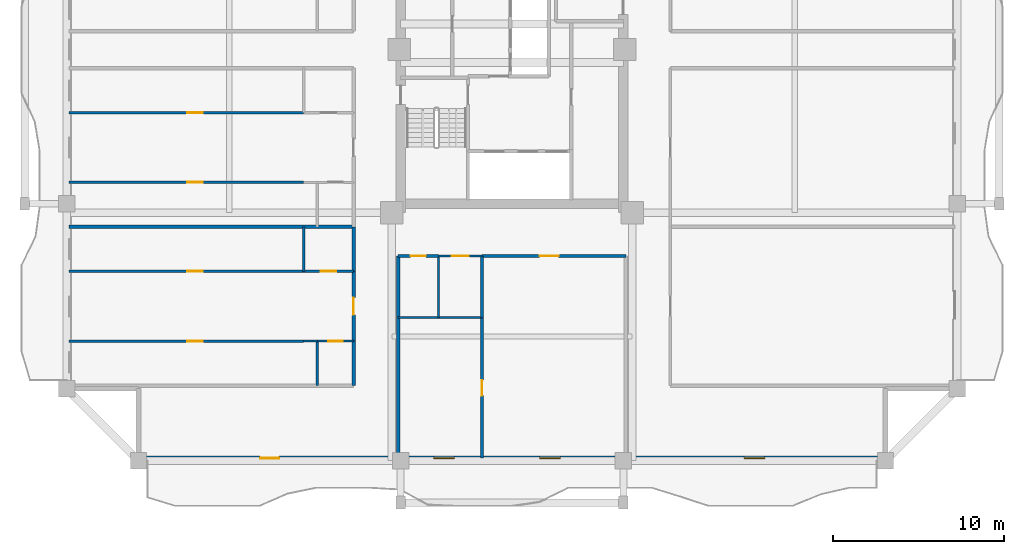
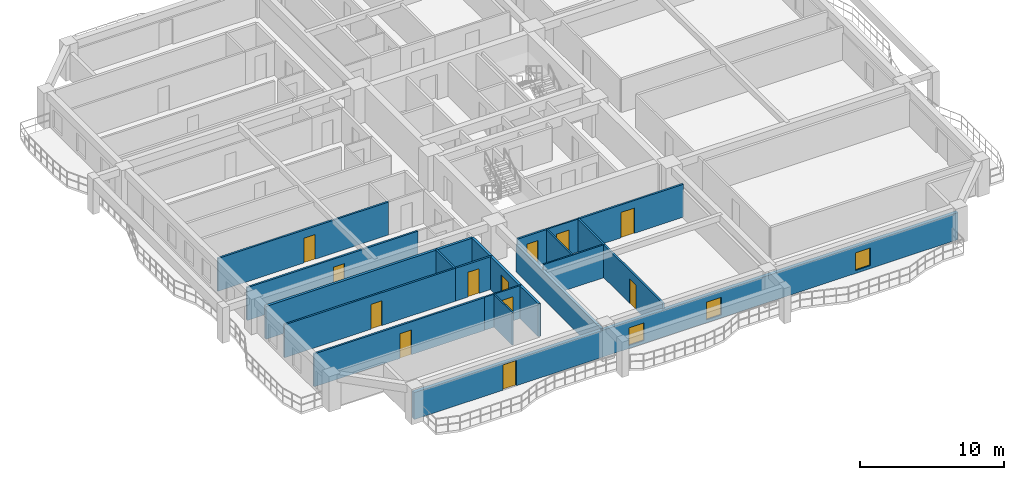
# One storey, part 2 of 11: 22 walls, 12 doors, 3 windows, 15 openings.
"""IFC4 building model written with IfcOpenShell, lengths in metres."""

from ifc_helpers import new_model, si_unit, direction, frame, frame_2d, origin, place, context, subcontext, project, spatial, rectangle, extrude, source, transform, mapped, material, layer, layer_set, type_object, element, fill, save


model = new_model("IFC4")

# Units and contexts
model_context = context("Model", 3, precision=1e-05, world=origin(), true_north=direction((0.0, 1.0)))
body_context = subcontext(model_context, "Body", "Model", "MODEL_VIEW")
ifc_project = project(units=[si_unit("LENGTHUNIT", "METRE"), si_unit("AREAUNIT", "SQUARE_METRE"), si_unit("VOLUMEUNIT", "CUBIC_METRE"), si_unit("PLANEANGLEUNIT", "RADIAN"), si_unit("MASSUNIT", "GRAM", prefix="KILO")], contexts=[model_context])

# Site, building, storey
site_placement = place(None, origin())
site = spatial("IfcSite", under=ifc_project, at=site_placement, CompositionType="ELEMENT")
building_placement = place(site_placement, origin())
building = spatial("IfcBuilding", under=site, at=building_placement, Name="Saelheon Loggia Tower", CompositionType="ELEMENT")
storey_placement = place(building_placement, frame((0.0, 0.0, 138.75)))
storey = spatial("IfcBuildingStorey", under=building, at=storey_placement, Name="L44", CompositionType="ELEMENT", Elevation=138.75)

# Wall, openings, windows, door
ifc_material_1 = material(Name="Architectural Precast Concrete C40/50", Category="concrete")
ifc_layer_1 = layer(ifc_material_1, 0.280029296875)
ifc_layer_set_1 = layer_set([ifc_layer_1], Name="Architectural Precast Concrete C40/50")
wall_type_1 = type_object("IfcWallType", Name="Wall_Ext_Loggia_280", PredefinedType="SOLIDWALL", material=ifc_layer_set_1)
wall_1_placement = place(storey_placement, frame((16.199951171875, 3.139892578125, 0.0), z_axis=(0.0, 0.0, 1.0), x_axis=(1.0, 0.0, 0.0)))
wall_1 = element("IfcWall", 1, at=wall_1_placement, inside=storey, type_object=wall_type_1, Name="L44 South Loggia Inner Wall", PredefinedType="SOLIDWALL", context=body_context, shape_type="SweptSolid", body=[
    extrude(rectangle(XDim=43.60009765625, YDim=0.280029296875, at=frame_2d((21.800048828125, 0.0))), origin(), (0.0, 0.0, 1.0), 2.280029296875),
])
opening_1_placement = place(wall_1_placement, frame((8.2001953125, 0.0, 0.0), z_axis=(0.0, 0.0, 1.0), x_axis=(-1.0, 0.0, 0.0)))
opening_1 = element("IfcOpeningElement", 2, at=opening_1_placement, cuts=wall_1, Name="Opening TD1", PredefinedType="OPENING", context=body_context, shape_type="SweptSolid", body=[
    extrude(rectangle(XDim=1.10009765625, YDim=2.14990234375, at=frame_2d((0.550048828125, 1.074951171875))), frame((0.0, 0.152099609375, 0.0), z_axis=(0.0, -1.0, 0.0), x_axis=(1.0, 0.0, 0.0)), (0.0, 0.0, 1.0), 0.303955078125),
])
opening_2_placement = place(wall_1_placement, frame((17.232421875, 0.0, 0.25)))
opening_2 = element("IfcOpeningElement", 3, at=opening_2_placement, cuts=wall_1, Name="Opening WN-03", PredefinedType="OPENING", context=body_context, shape_type="SweptSolid", body=[
    extrude(rectangle(XDim=1.199951171875, YDim=1.5, at=frame_2d((0.60009765625, 0.75))), frame((0.0, 0.152099609375, 0.0), z_axis=(0.0, -1.0, 0.0), x_axis=(1.0, 0.0, 0.0)), (0.0, 0.0, 1.0), 0.303955078125),
])
opening_3_placement = place(wall_1_placement, frame((23.41748046875, 0.0, 0.25)))
opening_3 = element("IfcOpeningElement", 4, at=opening_3_placement, cuts=wall_1, Name="Opening WN-03", PredefinedType="OPENING", context=body_context, shape_type="SweptSolid", body=[
    extrude(rectangle(XDim=1.199951171875, YDim=1.5, at=frame_2d((0.60009765625, 0.75))), frame((0.0, 0.152099609375, 0.0), z_axis=(0.0, -1.0, 0.0), x_axis=(1.0, 0.0, 0.0)), (0.0, 0.0, 1.0), 0.303955078125),
])
opening_4_placement = place(wall_1_placement, frame((35.35009765625, 0.0, 0.25)))
opening_4 = element("IfcOpeningElement", 5, at=opening_4_placement, cuts=wall_1, Name="Opening WN-03", PredefinedType="OPENING", context=body_context, shape_type="SweptSolid", body=[
    extrude(rectangle(XDim=1.199951171875, YDim=1.5, at=frame_2d((0.60009765625, 0.75))), frame((0.0, 0.152099609375, 0.0), z_axis=(0.0, -1.0, 0.0), x_axis=(1.0, 0.0, 0.0)), (0.0, 0.0, 1.0), 0.303955078125),
])
ifc_material_2 = material(Name="Thermal-Break Aluminium and Triple Low-E Glass", Category="aluminium")
window_type = type_object("IfcWindowType", Name="Win_Bedroom_1200x1500", PartitioningType="SINGLE_PANEL", PredefinedType="WINDOW", material=ifc_material_2)
shared_shape_1 = source(origin(), body_context, "Body", "SweptSolid", [
    extrude(rectangle(XDim=1.199951171875, YDim=1.5, at=frame_2d((0.60009765625, 0.75))), frame((0.0, 0.030029296875, 0.0), z_axis=(0.0, -1.0, 0.0), x_axis=(1.0, 0.0, 0.0)), (0.0, 0.0, 1.0), 0.06005859375),
])
window_1_placement = place(opening_2_placement, origin())
window_1 = element("IfcWindow", 6, at=window_1_placement, inside=storey, type_object=window_type, Name="L44 S Dwelling Window 2", OverallHeight=1.5, OverallWidth=1.199951171875, PartitioningType="SINGLE_PANEL", PredefinedType="WINDOW", context=body_context, shape_type="MappedRepresentation", body=[
    mapped(shared_shape_1, transform((0.0, 0.0, 0.0), scale=1.0)),
])
fill(opening_2, window_1)
window_2_placement = place(opening_3_placement, origin())
window_2 = element("IfcWindow", 7, at=window_2_placement, inside=storey, type_object=window_type, Name="L44 S Dwelling Window 3", OverallHeight=1.5, OverallWidth=1.199951171875, PartitioningType="SINGLE_PANEL", PredefinedType="WINDOW", context=body_context, shape_type="MappedRepresentation", body=[
    mapped(shared_shape_1, transform((0.0, 0.0, 0.0), scale=1.0)),
])
fill(opening_3, window_2)
window_3_placement = place(opening_4_placement, origin())
window_3 = element("IfcWindow", 8, at=window_3_placement, inside=storey, type_object=window_type, Name="L44 S Dwelling Window 4", OverallHeight=1.5, OverallWidth=1.199951171875, PartitioningType="SINGLE_PANEL", PredefinedType="WINDOW", context=body_context, shape_type="MappedRepresentation", body=[
    mapped(shared_shape_1, transform((0.0, 0.0, 0.0), scale=1.0)),
])
fill(opening_4, window_3)
ifc_material_3 = material(Name="Thermal-Break Aluminium Glazed Door", Category="aluminium")
door_type_1 = type_object("IfcDoorType", Name="Door_Terrace_TD1", OperationType="NOTDEFINED", PredefinedType="DOOR", material=ifc_material_3)
shared_shape_2 = source(origin(), body_context, "Body", "SweptSolid", [
    extrude(rectangle(XDim=1.10009765625, YDim=2.14990234375, at=frame_2d((0.550048828125, 1.074951171875))), frame((0.0, 0.02490234375, 0.0), z_axis=(0.0, -1.0, 0.0), x_axis=(1.0, 0.0, 0.0)), (0.0, 0.0, 1.0), 0.050048828125),
])
door_1_placement = place(opening_1_placement, origin())
door_1 = element("IfcDoor", 9, at=door_1_placement, inside=storey, type_object=door_type_1, Name="L44 S Loggia Access Door", OperationType="SINGLE_SWING_LEFT", OverallHeight=2.14990234375, OverallWidth=1.10009765625, PredefinedType="DOOR", context=body_context, shape_type="MappedRepresentation", body=[
    mapped(shared_shape_2, transform((0.0, 0.0, 0.0), scale=1.0)),
])
fill(opening_1, door_1)

# Wall
ifc_material_4 = material(Name="Lightweight Autoclaved Aerated Concrete Block and Acoustic Gypsum", Category="concrete")
ifc_layer_2 = layer(ifc_material_4, 0.14990234375)
ifc_layer_set_2 = layer_set([ifc_layer_2], Name="Lightweight Autoclaved Aerated Concrete Block and Acoustic Gypsum")
wall_type_2 = type_object("IfcWallType", Name="Wall_Part_150", PredefinedType="PARTITIONING", material=ifc_layer_set_2)
wall_2_placement = place(storey_placement, frame((36.25, 14.949951171875, 0.0), z_axis=(0.0, 0.0, 1.0), x_axis=(0.0, -1.0, 0.0)))
element("IfcWall", 10, at=wall_2_placement, inside=storey, type_object=wall_type_2, Name="L44 S Partition U04", PredefinedType="PARTITIONING", context=body_context, shape_type="SweptSolid", body=[
    extrude(rectangle(XDim=3.599853515625, YDim=0.14990234375, at=frame_2d((1.7998046875, 0.0))), origin(), (0.0, 0.0, 1.0), 2.7900390625),
])

# Wall, opening, door
wall_3_placement = place(storey_placement, frame((36.25, 11.35009765625, 0.0), z_axis=(0.0, 0.0, 1.0), x_axis=(0.0, -1.0, 0.0)))
wall_3 = element("IfcWall", 11, at=wall_3_placement, inside=storey, type_object=wall_type_2, Name="L44 S Partition U05", PredefinedType="PARTITIONING", context=body_context, shape_type="SweptSolid", body=[
    extrude(rectangle(XDim=8.2001953125, YDim=0.14990234375, at=frame_2d((4.10009765625, 0.0))), origin(), (0.0, 0.0, 1.0), 2.7900390625),
])
opening_5_placement = place(wall_3_placement, frame((3.64990234375, 0.0, 0.0)))
opening_5 = element("IfcOpeningElement", 12, at=opening_5_placement, cuts=wall_3, Name="Opening D-IN2", PredefinedType="OPENING", context=body_context, shape_type="SweptSolid", body=[
    extrude(rectangle(XDim=0.89990234375, YDim=2.10009765625, at=frame_2d((0.449951171875, 1.050048828125))), frame((0.0, 0.0869140625, 0.0), z_axis=(0.0, -1.0, 0.0), x_axis=(1.0, 0.0, 0.0)), (0.0, 0.0, 1.0), 0.173828125),
])
ifc_material_5 = material(Name="Engineered Oak Flush Door", Category="timber")
door_type_2 = type_object("IfcDoorType", Name="Door_Int_900", OperationType="NOTDEFINED", PredefinedType="DOOR", material=ifc_material_5)
shared_shape_3 = source(origin(), body_context, "Body", "SweptSolid", [
    extrude(rectangle(XDim=0.89990234375, YDim=2.10009765625, at=frame_2d((0.449951171875, 1.050048828125))), frame((0.0, 0.02490234375, 0.0), z_axis=(0.0, -1.0, 0.0), x_axis=(1.0, 0.0, 0.0)), (0.0, 0.0, 1.0), 0.050048828125),
])
door_2_placement = place(opening_5_placement, origin())
door_2 = element("IfcDoor", 13, at=door_2_placement, inside=storey, type_object=door_type_2, Name="L44 Reading Alcove Door", OperationType="SINGLE_SWING_RIGHT", OverallHeight=2.10009765625, OverallWidth=0.89990234375, PredefinedType="DOOR", context=body_context, shape_type="MappedRepresentation", body=[
    mapped(shared_shape_3, transform((0.0, 0.0, 0.0), scale=1.0)),
])
fill(opening_5, door_2)

wall_4_placement = place(storey_placement, frame((31.35009765625, 14.949951171875, 0.0), z_axis=(0.0, 0.0, 1.0), x_axis=(1.0, 0.0, 0.0)))
wall_4 = element("IfcWall", 14, at=wall_4_placement, inside=storey, type_object=wall_type_2, Name="L44 S Partition V07", PredefinedType="PARTITIONING", context=body_context, shape_type="SweptSolid", body=[
    extrude(rectangle(XDim=2.349853515625, YDim=0.14990234375, at=frame_2d((1.1748046875, 0.0))), origin(), (0.0, 0.0, 1.0), 2.7900390625),
])
opening_6_placement = place(wall_4_placement, frame((0.72509765625, 0.0, 0.0)))
opening_6 = element("IfcOpeningElement", 15, at=opening_6_placement, cuts=wall_4, Name="Opening D-IN2", PredefinedType="OPENING", context=body_context, shape_type="SweptSolid", body=[
    extrude(rectangle(XDim=0.89990234375, YDim=2.10009765625, at=frame_2d((0.449951171875, 1.050048828125))), frame((0.0, 0.0869140625, 0.0), z_axis=(0.0, -1.0, 0.0), x_axis=(1.0, 0.0, 0.0)), (0.0, 0.0, 1.0), 0.173828125),
])
door_3_placement = place(opening_6_placement, origin())
door_3 = element("IfcDoor", 16, at=door_3_placement, inside=storey, type_object=door_type_2, Name="L44 Community Pantry Door", OperationType="SINGLE_SWING_LEFT", OverallHeight=2.10009765625, OverallWidth=0.89990234375, PredefinedType="DOOR", context=body_context, shape_type="MappedRepresentation", body=[
    mapped(shared_shape_3, transform((0.0, 0.0, 0.0), scale=1.0)),
])
fill(opening_6, door_3)

wall_5_placement = place(storey_placement, frame((36.25, 14.949951171875, 0.0), z_axis=(0.0, 0.0, 1.0), x_axis=(1.0, 0.0, 0.0)))
wall_5 = element("IfcWall", 17, at=wall_5_placement, inside=storey, type_object=wall_type_2, Name="L44 S Partition V09", PredefinedType="PARTITIONING", context=body_context, shape_type="SweptSolid", body=[
    extrude(rectangle(XDim=8.39990234375, YDim=0.14990234375, at=frame_2d((4.199951171875, 0.0))), origin(), (0.0, 0.0, 1.0), 2.7900390625),
])
opening_7_placement = place(wall_5_placement, frame((3.367431640625, 0.0, 0.0)))
opening_7 = element("IfcOpeningElement", 18, at=opening_7_placement, cuts=wall_5, Name="Opening D-FD2", PredefinedType="OPENING", context=body_context, shape_type="SweptSolid", body=[
    extrude(rectangle(XDim=1.10009765625, YDim=2.14990234375, at=frame_2d((0.550048828125, 1.074951171875))), frame((0.0, 0.0869140625, 0.0), z_axis=(0.0, -1.0, 0.0), x_axis=(1.0, 0.0, 0.0)), (0.0, 0.0, 1.0), 0.173828125),
])
ifc_material_6 = material(Name="Galvanised Steel Fire Door", Category="steel")
door_type_3 = type_object("IfcDoorType", Name="Door_Fire_FD60_1100", OperationType="NOTDEFINED", PredefinedType="DOOR", material=ifc_material_6)
door_4_placement = place(opening_7_placement, origin())
door_4 = element("IfcDoor", 19, at=door_4_placement, inside=storey, type_object=door_type_3, Name="L44 Resident Fitness Gymnasium Door A", OperationType="SINGLE_SWING_LEFT", OverallHeight=2.14990234375, OverallWidth=1.10009765625, PredefinedType="DOOR", context=body_context, shape_type="MappedRepresentation", body=[
    mapped(shared_shape_2, transform((0.0, 0.0, 0.0), scale=1.0)),
])
fill(opening_7, door_4)

# Wall
wall_6_placement = place(storey_placement, frame((25.830078125, 14.050048828125, 0.0), z_axis=(0.0, 0.0, 1.0), x_axis=(0.0, 1.0, 0.0)))
element("IfcWall", 20, at=wall_6_placement, inside=storey, type_object=wall_type_2, Name="L44 WS Partition V07", PredefinedType="PARTITIONING", context=body_context, shape_type="SweptSolid", body=[
    extrude(rectangle(XDim=2.599853515625, YDim=0.14990234375, at=frame_2d((1.2998046875, 0.0))), origin(), (0.0, 0.0, 1.0), 2.7900390625),
])

# Wall, opening, door
wall_7_placement = place(storey_placement, frame((25.830078125, 9.9755859375, 0.0), z_axis=(0.0, 0.0, 1.0), x_axis=(-1.0, 0.0, 0.0)))
wall_7 = element("IfcWall", 21, at=wall_7_placement, inside=storey, type_object=wall_type_2, Name="L44 WS Partition U10", PredefinedType="PARTITIONING", context=body_context, shape_type="SweptSolid", body=[
    extrude(rectangle(XDim=13.68017578125, YDim=0.14990234375, at=frame_2d((6.840087890625, 0.0))), origin(), (0.0, 0.0, 1.0), 2.7900390625),
])
opening_8_placement = place(wall_7_placement, frame((5.87744140625, 0.0, 0.0)))
opening_8 = element("IfcOpeningElement", 22, at=opening_8_placement, cuts=wall_7, Name="Opening D-IN2", PredefinedType="OPENING", context=body_context, shape_type="SweptSolid", body=[
    extrude(rectangle(XDim=0.89990234375, YDim=2.10009765625, at=frame_2d((0.449951171875, 1.050048828125))), frame((0.0, 0.0869140625, 0.0), z_axis=(0.0, -1.0, 0.0), x_axis=(1.0, 0.0, 0.0)), (0.0, 0.0, 1.0), 0.173828125),
])
door_5_placement = place(opening_8_placement, origin())
door_5 = element("IfcDoor", 23, at=door_5_placement, inside=storey, type_object=door_type_2, Name="Unit U02 Kitchen Door", OperationType="SINGLE_SWING_LEFT", OverallHeight=2.10009765625, OverallWidth=0.89990234375, PredefinedType="DOOR", context=body_context, shape_type="MappedRepresentation", body=[
    mapped(shared_shape_3, transform((0.0, 0.0, 0.0), scale=1.0)),
])
fill(opening_8, door_5)

wall_8_placement = place(storey_placement, frame((28.75, 14.050048828125, 0.0), z_axis=(0.0, 0.0, 1.0), x_axis=(-1.0, 0.0, 0.0)))
wall_8 = element("IfcWall", 24, at=wall_8_placement, inside=storey, type_object=wall_type_2, Name="L44 WS Partition U11", PredefinedType="PARTITIONING", context=body_context, shape_type="SweptSolid", body=[
    extrude(rectangle(XDim=2.919921875, YDim=0.14990234375, at=frame_2d((1.4599609375, 0.0))), origin(), (0.0, 0.0, 1.0), 2.7900390625),
])
opening_9_placement = place(wall_8_placement, frame((1.010009765625, 0.0, 0.0)))
opening_9 = element("IfcOpeningElement", 25, at=opening_9_placement, cuts=wall_8, Name="Opening D-IN2", PredefinedType="OPENING", context=body_context, shape_type="SweptSolid", body=[
    extrude(rectangle(XDim=0.89990234375, YDim=2.10009765625, at=frame_2d((0.449951171875, 1.050048828125))), frame((0.0, 0.0869140625, 0.0), z_axis=(0.0, -1.0, 0.0), x_axis=(1.0, 0.0, 0.0)), (0.0, 0.0, 1.0), 0.173828125),
])
door_6_placement = place(opening_9_placement, origin())
door_6 = element("IfcDoor", 26, at=door_6_placement, inside=storey, type_object=door_type_2, Name="Unit U02 Dressing Closet Door", OperationType="SINGLE_SWING_RIGHT", OverallHeight=2.10009765625, OverallWidth=0.89990234375, PredefinedType="DOOR", context=body_context, shape_type="MappedRepresentation", body=[
    mapped(shared_shape_3, transform((0.0, 0.0, 0.0), scale=1.0)),
])
fill(opening_9, door_6)

wall_9_placement = place(storey_placement, frame((25.830078125, 14.050048828125, 0.0), z_axis=(0.0, 0.0, 1.0), x_axis=(-1.0, 0.0, 0.0)))
wall_9 = element("IfcWall", 27, at=wall_9_placement, inside=storey, type_object=wall_type_2, Name="L44 WS Partition U12", PredefinedType="PARTITIONING", context=body_context, shape_type="SweptSolid", body=[
    extrude(rectangle(XDim=13.68017578125, YDim=0.14990234375, at=frame_2d((6.840087890625, 0.0))), origin(), (0.0, 0.0, 1.0), 2.7900390625),
])
opening_10_placement = place(wall_9_placement, frame((5.87744140625, 0.0, 0.0)))
opening_10 = element("IfcOpeningElement", 28, at=opening_10_placement, cuts=wall_9, Name="Opening D-IN2", PredefinedType="OPENING", context=body_context, shape_type="SweptSolid", body=[
    extrude(rectangle(XDim=0.89990234375, YDim=2.10009765625, at=frame_2d((0.449951171875, 1.050048828125))), frame((0.0, 0.0869140625, 0.0), z_axis=(0.0, -1.0, 0.0), x_axis=(1.0, 0.0, 0.0)), (0.0, 0.0, 1.0), 0.173828125),
])
door_7_placement = place(opening_10_placement, origin())
door_7 = element("IfcDoor", 29, at=door_7_placement, inside=storey, type_object=door_type_2, Name="Unit U02 Bedroom 1 Door", OperationType="SINGLE_SWING_LEFT", OverallHeight=2.10009765625, OverallWidth=0.89990234375, PredefinedType="DOOR", context=body_context, shape_type="MappedRepresentation", body=[
    mapped(shared_shape_3, transform((0.0, 0.0, 0.0), scale=1.0)),
])
fill(opening_10, door_7)

wall_10_placement = place(storey_placement, frame((25.830078125, 19.24560546875, 0.0), z_axis=(0.0, 0.0, 1.0), x_axis=(-1.0, 0.0, 0.0)))
wall_10 = element("IfcWall", 30, at=wall_10_placement, inside=storey, type_object=wall_type_2, Name="L44 WS Partition U21", PredefinedType="PARTITIONING", context=body_context, shape_type="SweptSolid", body=[
    extrude(rectangle(XDim=13.68017578125, YDim=0.14990234375, at=frame_2d((6.840087890625, 0.0))), origin(), (0.0, 0.0, 1.0), 2.7900390625),
])
opening_11_placement = place(wall_10_placement, frame((5.87744140625, 0.0, 0.0)))
opening_11 = element("IfcOpeningElement", 31, at=opening_11_placement, cuts=wall_10, Name="Opening D-IN2", PredefinedType="OPENING", context=body_context, shape_type="SweptSolid", body=[
    extrude(rectangle(XDim=0.89990234375, YDim=2.10009765625, at=frame_2d((0.449951171875, 1.050048828125))), frame((0.0, 0.0869140625, 0.0), z_axis=(0.0, -1.0, 0.0), x_axis=(1.0, 0.0, 0.0)), (0.0, 0.0, 1.0), 0.173828125),
])
door_8_placement = place(opening_11_placement, origin())
door_8 = element("IfcDoor", 32, at=door_8_placement, inside=storey, type_object=door_type_2, Name="Unit U03 Kitchen Door", OperationType="SINGLE_SWING_RIGHT", OverallHeight=2.10009765625, OverallWidth=0.89990234375, PredefinedType="DOOR", context=body_context, shape_type="MappedRepresentation", body=[
    mapped(shared_shape_3, transform((0.0, 0.0, 0.0), scale=1.0)),
])
fill(opening_11, door_8)

wall_11_placement = place(storey_placement, frame((25.830078125, 23.320068359375, 0.0), z_axis=(0.0, 0.0, 1.0), x_axis=(-1.0, 0.0, 0.0)))
wall_11 = element("IfcWall", 33, at=wall_11_placement, inside=storey, type_object=wall_type_2, Name="L44 WS Partition U23", PredefinedType="PARTITIONING", context=body_context, shape_type="SweptSolid", body=[
    extrude(rectangle(XDim=13.68017578125, YDim=0.14990234375, at=frame_2d((6.840087890625, 0.0))), origin(), (0.0, 0.0, 1.0), 2.7900390625),
])
opening_12_placement = place(wall_11_placement, frame((5.87744140625, 0.0, 0.0)))
opening_12 = element("IfcOpeningElement", 34, at=opening_12_placement, cuts=wall_11, Name="Opening D-IN2", PredefinedType="OPENING", context=body_context, shape_type="SweptSolid", body=[
    extrude(rectangle(XDim=0.89990234375, YDim=2.10009765625, at=frame_2d((0.449951171875, 1.050048828125))), frame((0.0, 0.0869140625, 0.0), z_axis=(0.0, -1.0, 0.0), x_axis=(1.0, 0.0, 0.0)), (0.0, 0.0, 1.0), 0.173828125),
])
door_9_placement = place(opening_12_placement, origin())
door_9 = element("IfcDoor", 35, at=door_9_placement, inside=storey, type_object=door_type_2, Name="Unit U03 Bedroom 1 Door", OperationType="SINGLE_SWING_RIGHT", OverallHeight=2.10009765625, OverallWidth=0.89990234375, PredefinedType="DOOR", context=body_context, shape_type="MappedRepresentation", body=[
    mapped(shared_shape_3, transform((0.0, 0.0, 0.0), scale=1.0)),
])
fill(opening_12, door_9)

# Walls
ifc_material_7 = material(Name="Double Acoustic Stud and Fireboard Partition", Category="gypsum")
ifc_layer_3 = layer(ifc_material_7, 0.199951171875)
ifc_layer_set_3 = layer_set([ifc_layer_3], Name="Double Acoustic Stud and Fireboard Partition")
wall_type_3 = type_object("IfcWallType", Name="Wall_Party_200", PredefinedType="PARTITIONING", material=ifc_layer_set_3)
wall_12_placement = place(storey_placement, frame((31.35009765625, 14.949951171875, 0.0), z_axis=(0.0, 0.0, 1.0), x_axis=(0.0, -1.0, 0.0)))
element("IfcWall", 36, at=wall_12_placement, inside=storey, type_object=wall_type_3, Name="L44 S Partition U01", PredefinedType="PARTITIONING", context=body_context, shape_type="SweptSolid", body=[
    extrude(rectangle(XDim=11.800048828125, YDim=0.199951171875, at=frame_2d((5.89990234375, 0.0))), origin(), (0.0, 0.0, 1.0), 2.340087890625),
])
wall_13_placement = place(storey_placement, frame((28.75, 7.3798828125, 0.0), z_axis=(0.0, 0.0, 1.0), x_axis=(0.0, 1.0, 0.0)))
element("IfcWall", 37, at=wall_13_placement, inside=storey, type_object=wall_type_3, Name="L44 WS Partition V03", PredefinedType="PARTITIONING", context=body_context, shape_type="SweptSolid", body=[
    extrude(rectangle(XDim=2.595703125, YDim=0.199951171875, at=frame_2d((1.2978515625, 0.0))), origin(), (0.0, 0.0, 1.0), 2.7900390625),
])

# Wall, opening, door
wall_14_placement = place(storey_placement, frame((28.75, 9.9755859375, 0.0), z_axis=(0.0, 0.0, 1.0), x_axis=(0.0, 1.0, 0.0)))
wall_14 = element("IfcWall", 38, at=wall_14_placement, inside=storey, type_object=wall_type_3, Name="L44 WS Partition V04", PredefinedType="PARTITIONING", context=body_context, shape_type="SweptSolid", body=[
    extrude(rectangle(XDim=4.074462890625, YDim=0.199951171875, at=frame_2d((2.037109375, 0.0))), origin(), (0.0, 0.0, 1.0), 2.7900390625),
])
opening_13_placement = place(wall_14_placement, frame((1.537109375, 0.0, 0.0)))
opening_13 = element("IfcOpeningElement", 39, at=opening_13_placement, cuts=wall_14, Name="Opening D-FD1", PredefinedType="OPENING", context=body_context, shape_type="SweptSolid", body=[
    extrude(rectangle(XDim=1.0, YDim=2.14990234375, at=frame_2d((0.5, 1.074951171875))), frame((0.0, 0.112060546875, 0.0), z_axis=(0.0, -1.0, 0.0), x_axis=(1.0, 0.0, 0.0)), (0.0, 0.0, 1.0), 0.223876953125),
])
ifc_material_8 = material(Name="Fire-Rated Engineered Timber Entrance Door", Category="wood")
door_type_4 = type_object("IfcDoorType", Name="Door_Flat_FD30S", OperationType="NOTDEFINED", PredefinedType="DOOR", material=ifc_material_8)
shared_shape_4 = source(origin(), body_context, "Body", "SweptSolid", [
    extrude(rectangle(XDim=1.0, YDim=2.14990234375, at=frame_2d((0.5, 1.074951171875))), frame((0.0, 0.02490234375, 0.0), z_axis=(0.0, -1.0, 0.0), x_axis=(1.0, 0.0, 0.0)), (0.0, 0.0, 1.0), 0.050048828125),
])
door_10_placement = place(opening_13_placement, origin())
door_10 = element("IfcDoor", 40, at=door_10_placement, inside=storey, type_object=door_type_4, Name="Unit U02 Entrance Door", OperationType="SINGLE_SWING_LEFT", OverallHeight=2.14990234375, OverallWidth=1.0, PredefinedType="DOOR", context=body_context, shape_type="MappedRepresentation", body=[
    mapped(shared_shape_4, transform((0.0, 0.0, 0.0), scale=1.0)),
])
fill(opening_13, door_10)

# Walls
wall_15_placement = place(storey_placement, frame((28.75, 14.050048828125, 0.0), z_axis=(0.0, 0.0, 1.0), x_axis=(0.0, 1.0, 0.0)))
element("IfcWall", 41, at=wall_15_placement, inside=storey, type_object=wall_type_3, Name="L44 WS Partition V05", PredefinedType="PARTITIONING", context=body_context, shape_type="SweptSolid", body=[
    extrude(rectangle(XDim=2.599853515625, YDim=0.199951171875, at=frame_2d((1.2998046875, 0.0))), origin(), (0.0, 0.0, 1.0), 2.7900390625),
])
wall_16_placement = place(storey_placement, frame((28.75, 16.64990234375, 0.0), z_axis=(0.0, 0.0, 1.0), x_axis=(-1.0, 0.0, 0.0)))
element("IfcWall", 42, at=wall_16_placement, inside=storey, type_object=wall_type_3, Name="L44 WS Partition U13", PredefinedType="PARTITIONING", context=body_context, shape_type="SweptSolid", body=[
    extrude(rectangle(XDim=16.60009765625, YDim=0.199951171875, at=frame_2d((8.300048828125, 0.0))), origin(), (0.0, 0.0, 1.0), 2.7900390625),
])
ifc_material_9 = material(Name="Moisture-Resistant Cement Board Partition", Category="gypsum")
ifc_layer_4 = layer(ifc_material_9, 0.1201171875)
ifc_layer_set_4 = layer_set([ifc_layer_4], Name="Moisture-Resistant Cement Board Partition")
wall_type_4 = type_object("IfcWallType", Name="Wall_WetPart_120", PredefinedType="PARTITIONING", material=ifc_layer_set_4)
wall_17_placement = place(storey_placement, frame((33.699951171875, 14.949951171875, 0.0), z_axis=(0.0, 0.0, 1.0), x_axis=(0.0, -1.0, 0.0)))
element("IfcWall", 43, at=wall_17_placement, inside=storey, type_object=wall_type_4, Name="L44 S Partition U03", PredefinedType="PARTITIONING", context=body_context, shape_type="SweptSolid", body=[
    extrude(rectangle(XDim=3.599853515625, YDim=0.1201171875, at=frame_2d((1.7998046875, 0.0))), origin(), (0.0, 0.0, 1.0), 2.7900390625),
])
wall_18_placement = place(storey_placement, frame((31.35009765625, 11.35009765625, 0.0), z_axis=(0.0, 0.0, 1.0), x_axis=(1.0, 0.0, 0.0)))
element("IfcWall", 44, at=wall_18_placement, inside=storey, type_object=wall_type_4, Name="L44 S Partition V06", PredefinedType="PARTITIONING", context=body_context, shape_type="SweptSolid", body=[
    extrude(rectangle(XDim=4.89990234375, YDim=0.1201171875, at=frame_2d((2.449951171875, 0.0))), origin(), (0.0, 0.0, 1.0), 2.7900390625),
])

# Wall, opening, door
wall_19_placement = place(storey_placement, frame((33.699951171875, 14.949951171875, 0.0), z_axis=(0.0, 0.0, 1.0), x_axis=(1.0, 0.0, 0.0)))
wall_19 = element("IfcWall", 45, at=wall_19_placement, inside=storey, type_object=wall_type_4, Name="L44 S Partition V08", PredefinedType="PARTITIONING", context=body_context, shape_type="SweptSolid", body=[
    extrude(rectangle(XDim=2.550048828125, YDim=0.1201171875, at=frame_2d((1.27490234375, 0.0))), origin(), (0.0, 0.0, 1.0), 2.7900390625),
])
opening_14_placement = place(wall_19_placement, frame((0.77490234375, 0.0, 0.0)))
opening_14 = element("IfcOpeningElement", 46, at=opening_14_placement, cuts=wall_19, Name="Opening D-AC1", PredefinedType="OPENING", context=body_context, shape_type="SweptSolid", body=[
    extrude(rectangle(XDim=1.0, YDim=2.10009765625, at=frame_2d((0.5, 1.050048828125))), frame((0.0, 0.072021484375, 0.0), z_axis=(0.0, -1.0, 0.0), x_axis=(1.0, 0.0, 0.0)), (0.0, 0.0, 1.0), 0.14404296875),
])
ifc_material_10 = material(Name="Accessible Laminate Flush Door", Category="timber")
door_type_5 = type_object("IfcDoorType", Name="Door_Acc_1000", OperationType="NOTDEFINED", PredefinedType="DOOR", material=ifc_material_10)
shared_shape_5 = source(origin(), body_context, "Body", "SweptSolid", [
    extrude(rectangle(XDim=1.0, YDim=2.10009765625, at=frame_2d((0.5, 1.050048828125))), frame((0.0, 0.02490234375, 0.0), z_axis=(0.0, -1.0, 0.0), x_axis=(1.0, 0.0, 0.0)), (0.0, 0.0, 1.0), 0.050048828125),
])
door_11_placement = place(opening_14_placement, origin())
door_11 = element("IfcDoor", 47, at=door_11_placement, inside=storey, type_object=door_type_5, Name="L44 Common Washroom Door", OperationType="SINGLE_SWING_RIGHT", OverallHeight=2.10009765625, OverallWidth=1.0, PredefinedType="DOOR", context=body_context, shape_type="MappedRepresentation", body=[
    mapped(shared_shape_5, transform((0.0, 0.0, 0.0), scale=1.0)),
])
fill(opening_14, door_11)

# Wall
wall_20_placement = place(storey_placement, frame((26.6298828125, 7.3798828125, 0.0), z_axis=(0.0, 0.0, 1.0), x_axis=(0.0, 1.0, 0.0)))
element("IfcWall", 48, at=wall_20_placement, inside=storey, type_object=wall_type_4, Name="L44 WS Partition V06", PredefinedType="PARTITIONING", context=body_context, shape_type="SweptSolid", body=[
    extrude(rectangle(XDim=2.595703125, YDim=0.1201171875, at=frame_2d((1.2978515625, 0.0))), origin(), (0.0, 0.0, 1.0), 2.7900390625),
])

# Wall, opening, door
wall_21_placement = place(storey_placement, frame((28.75, 9.9755859375, 0.0), z_axis=(0.0, 0.0, 1.0), x_axis=(-1.0, 0.0, 0.0)))
wall_21 = element("IfcWall", 49, at=wall_21_placement, inside=storey, type_object=wall_type_4, Name="L44 WS Partition U08", PredefinedType="PARTITIONING", context=body_context, shape_type="SweptSolid", body=[
    extrude(rectangle(XDim=2.1201171875, YDim=0.1201171875, at=frame_2d((1.06005859375, 0.0))), origin(), (0.0, 0.0, 1.0), 2.7900390625),
])
opening_15_placement = place(wall_21_placement, frame((0.635009765625, 0.0, 0.0)))
opening_15 = element("IfcOpeningElement", 50, at=opening_15_placement, cuts=wall_21, Name="Opening D-BT1", PredefinedType="OPENING", context=body_context, shape_type="SweptSolid", body=[
    extrude(rectangle(XDim=0.85009765625, YDim=2.050048828125, at=frame_2d((0.425048828125, 1.02490234375))), frame((0.0, 0.072021484375, 0.0), z_axis=(0.0, -1.0, 0.0), x_axis=(1.0, 0.0, 0.0)), (0.0, 0.0, 1.0), 0.14404296875),
])
ifc_material_11 = material(Name="Moisture-Resistant Laminate Timber Door", Category="wood")
door_type_6 = type_object("IfcDoorType", Name="Door_Bath_850", OperationType="NOTDEFINED", PredefinedType="DOOR", material=ifc_material_11)
shared_shape_6 = source(origin(), body_context, "Body", "SweptSolid", [
    extrude(rectangle(XDim=0.85009765625, YDim=2.050048828125, at=frame_2d((0.425048828125, 1.02490234375))), frame((0.0, 0.02490234375, 0.0), z_axis=(0.0, -1.0, 0.0), x_axis=(1.0, 0.0, 0.0)), (0.0, 0.0, 1.0), 0.050048828125),
])
door_12_placement = place(opening_15_placement, origin())
door_12 = element("IfcDoor", 51, at=door_12_placement, inside=storey, type_object=door_type_6, Name="Unit U02 Bathroom Door", OperationType="SINGLE_SWING_RIGHT", OverallHeight=2.050048828125, OverallWidth=0.85009765625, PredefinedType="DOOR", context=body_context, shape_type="MappedRepresentation", body=[
    mapped(shared_shape_6, transform((0.0, 0.0, 0.0), scale=1.0)),
])
fill(opening_15, door_12)

# Wall
wall_22_placement = place(storey_placement, frame((26.6298828125, 9.9755859375, 0.0), z_axis=(0.0, 0.0, 1.0), x_axis=(-1.0, 0.0, 0.0)))
element("IfcWall", 52, at=wall_22_placement, inside=storey, type_object=wall_type_4, Name="L44 WS Partition U09", PredefinedType="PARTITIONING", context=body_context, shape_type="SweptSolid", body=[
    extrude(rectangle(XDim=0.7998046875, YDim=0.1201171875, at=frame_2d((0.39990234375, 0.0))), origin(), (0.0, 0.0, 1.0), 2.7900390625),
])

save(model, "model.ifc")
